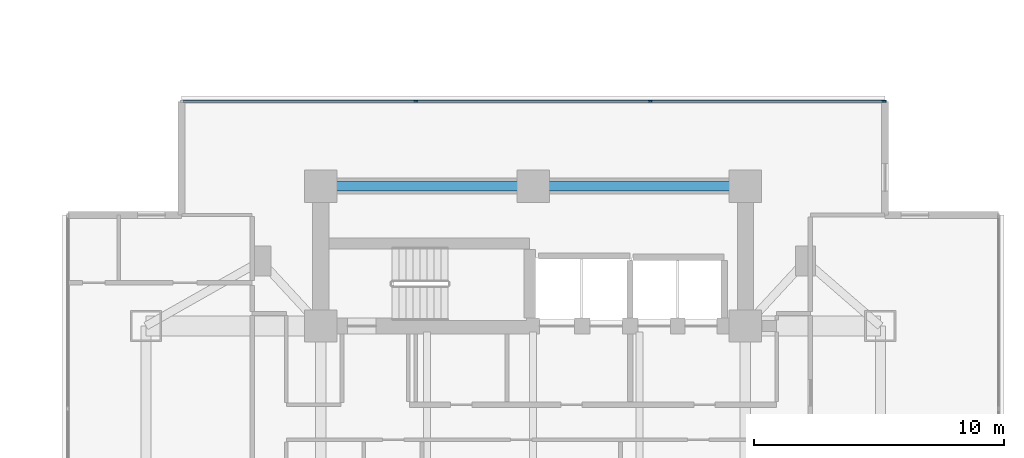
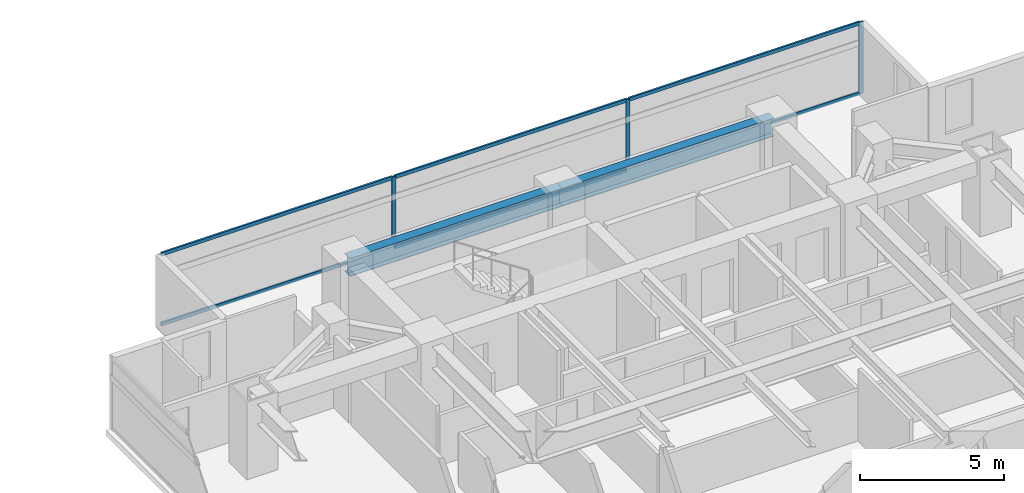
# One storey, part 11 of 24: 9 members, 2 beams, 1 element without a shape of its own.
"""IFC4 building model written with IfcOpenShell, lengths in metres."""

from ifc_helpers import new_model, si_unit, direction, frame, origin, origin_2d, place, context, subcontext, project, spatial, rectangle, i_section, extrude, material, material_profile, profile_set, type_object, element, aggregate, save


model = new_model("IFC4")

# Units and contexts
model_context = context("Model", 3, precision=1e-05, world=origin(), true_north=direction((0.0, 1.0)))
body_context = subcontext(model_context, "Body", "Model", "MODEL_VIEW")
ifc_project = project(units=[si_unit("LENGTHUNIT", "METRE"), si_unit("AREAUNIT", "SQUARE_METRE"), si_unit("VOLUMEUNIT", "CUBIC_METRE"), si_unit("PLANEANGLEUNIT", "RADIAN"), si_unit("MASSUNIT", "GRAM", prefix="KILO")], contexts=[model_context])

# Site, building, storey
site_placement = place(None, origin())
site = spatial("IfcSite", under=ifc_project, at=site_placement, CompositionType="ELEMENT")
building_placement = place(site_placement, origin())
building = spatial("IfcBuilding", under=site, at=building_placement, Name="Mirazonda Arch Towers", CompositionType="ELEMENT")
storey_placement = place(building_placement, frame((0.0, 0.0, 68.60009765625)))
storey = spatial("IfcBuildingStorey", under=building, at=storey_placement, Name="L19", CompositionType="ELEMENT", Elevation=68.60009765625)

# Beams
ifc_material_1 = material(Name="Steel ASTM A992 Grade 50", Category="steel")
ifc_material_profile_1 = material_profile(ifc_material_1, i_section(OverallWidth=0.381103515625, OverallDepth=0.77294921875, WebThickness=0.0166015625, FlangeThickness=0.027099609375, at=origin_2d()), Name="W30X173")
ifc_profile_set_1 = profile_set([ifc_material_profile_1], Name="Steel ASTM A992 Grade 50")
beam_type = type_object("IfcBeamType", Name="BM-INT-W30X173", PredefinedType="USERDEFINED", material=ifc_profile_set_1)
for number, where, z_axis, x_axis, name in (
    (1, (68.0, 40.800048828125, 2.67333984375), (1.0, 0.0, 0.0), (0.0, 1.0, 0.0), "L19 Floor Beam BM-T2-L19-CN1"),
    (2, (76.5, 40.800048828125, 2.67333984375), (1.0, 0.0, 0.0), (0.0, 1.0, 0.0), "L19 Floor Beam BM-T2-L19-CN2"),
):
    element("IfcBeam", number, at=place(storey_placement, frame(where, z_axis=z_axis, x_axis=x_axis)), inside=storey, type_object=beam_type, Name=name, ObjectType="GIRDER", PredefinedType="USERDEFINED", context=body_context, shape_type="SweptSolid", body=[
        extrude(i_section(OverallWidth=0.381103515625, OverallDepth=0.77294921875, WebThickness=0.0166015625, FlangeThickness=0.027099609375, at=origin_2d()), origin(), (0.0, 0.0, 1.0), 8.5),
    ])

# Curtain wall, members
ifc_material_2 = material(Name="Anodised Aluminium and Low-E Glass", Category="aluminium")
curtain_wall_type = type_object("IfcCurtainWallType", Name="CW-HTL-UNIT", PredefinedType="NOTDEFINED", material=ifc_material_2)
curtain_wall_placement = place(storey_placement, origin())
curtain_wall = element("IfcCurtainWall", 3, at=curtain_wall_placement, inside=storey, type_object=curtain_wall_type, Name="L19 T2 N Facade CW-L19-T2-N", PredefinedType="NOTDEFINED")
ifc_material_3 = material(Name="Anodised Aluminium Alloy", Category="aluminium")
ifc_material_profile_2 = material_profile(ifc_material_3, rectangle(XDim=0.074951171875, YDim=0.1650390625, at=origin_2d()), Name="ALU-MULL-75x165")
ifc_profile_set_2 = profile_set([ifc_material_profile_2], Name="Anodised Aluminium Alloy")
member_type_1 = type_object("IfcMemberType", Name="MULL-CW-HTL-UNIT", PredefinedType="MULLION", material=ifc_profile_set_2)
member_1_placement = place(storey_placement, frame((71.805419921875, 44.1923828125, 0.0), z_axis=(0.0, 0.0, 1.0), x_axis=(0.0, 1.0, 0.0)))
member_1 = element("IfcMember", 4, at=member_1_placement, type_object=member_type_1, Name="CW-112 mullion 2", PredefinedType="MULLION", context=body_context, shape_type="SweptSolid", body=[
    extrude(rectangle(XDim=0.074951171875, YDim=0.1650390625, at=origin_2d()), origin(), (0.0, 0.0, 1.0), 3.039794921875),
])
member_2_placement = place(storey_placement, frame((81.194580078125, 44.1923828125, 0.0), z_axis=(0.0, 0.0, 1.0), x_axis=(0.0, 1.0, 0.0)))
member_2 = element("IfcMember", 5, at=member_2_placement, type_object=member_type_1, Name="CW-112 mullion 3", PredefinedType="MULLION", context=body_context, shape_type="SweptSolid", body=[
    extrude(rectangle(XDim=0.074951171875, YDim=0.1650390625, at=origin_2d()), origin(), (0.0, 0.0, 1.0), 3.039794921875),
])
member_3_placement = place(storey_placement, frame((90.54638671875, 44.1923828125, 0.0), z_axis=(0.0, 0.0, 1.0), x_axis=(0.0, 1.0, 0.0)))
member_3 = element("IfcMember", 6, at=member_3_placement, type_object=member_type_1, Name="CW-112 mullion 4", PredefinedType="MULLION", context=body_context, shape_type="SweptSolid", body=[
    extrude(rectangle(XDim=0.074951171875, YDim=0.1650390625, at=origin_2d()), origin(), (0.0, 0.0, 1.0), 3.039794921875),
])
ifc_material_profile_3 = material_profile(ifc_material_3, rectangle(XDim=0.074951171875, YDim=0.14501953125, at=origin_2d()), Name="ALU-TRAN-75x145")
ifc_profile_set_3 = profile_set([ifc_material_profile_3], Name="Anodised Aluminium Alloy")
member_type_2 = type_object("IfcMemberType", Name="TRAN-CW-HTL-UNIT", PredefinedType="USERDEFINED", material=ifc_profile_set_3)
member_4_placement = place(storey_placement, frame((62.490966796875, 44.1923828125, 0.037353515625), z_axis=(1.0, 0.0, 0.0), x_axis=(0.0, 1.0, 0.0)))
member_4 = element("IfcMember", 7, at=member_4_placement, type_object=member_type_2, Name="CW-112 transom 1.1", ObjectType="TRANSOM", PredefinedType="USERDEFINED", context=body_context, shape_type="SweptSolid", body=[
    extrude(rectangle(XDim=0.074951171875, YDim=0.14501953125, at=origin_2d()), origin(), (0.0, 0.0, 1.0), 9.27685546875),
])
member_5_placement = place(storey_placement, frame((62.490966796875, 44.1923828125, 3.00244140625), z_axis=(1.0, 0.0, 0.0), x_axis=(0.0, 1.0, 0.0)))
member_5 = element("IfcMember", 8, at=member_5_placement, type_object=member_type_2, Name="CW-112 transom 1.2", ObjectType="TRANSOM", PredefinedType="USERDEFINED", context=body_context, shape_type="SweptSolid", body=[
    extrude(rectangle(XDim=0.074951171875, YDim=0.14501953125, at=origin_2d()), origin(), (0.0, 0.0, 1.0), 9.27685546875),
])
member_6_placement = place(storey_placement, frame((71.8427734375, 44.1923828125, 0.037353515625), z_axis=(1.0, 0.0, 0.0), x_axis=(0.0, 1.0, 0.0)))
member_6 = element("IfcMember", 9, at=member_6_placement, type_object=member_type_2, Name="CW-112 transom 2.1", ObjectType="TRANSOM", PredefinedType="USERDEFINED", context=body_context, shape_type="SweptSolid", body=[
    extrude(rectangle(XDim=0.074951171875, YDim=0.14501953125, at=origin_2d()), origin(), (0.0, 0.0, 1.0), 9.314453125),
])
member_7_placement = place(storey_placement, frame((71.8427734375, 44.1923828125, 3.00244140625), z_axis=(1.0, 0.0, 0.0), x_axis=(0.0, 1.0, 0.0)))
member_7 = element("IfcMember", 10, at=member_7_placement, type_object=member_type_2, Name="CW-112 transom 2.2", ObjectType="TRANSOM", PredefinedType="USERDEFINED", context=body_context, shape_type="SweptSolid", body=[
    extrude(rectangle(XDim=0.074951171875, YDim=0.14501953125, at=origin_2d()), origin(), (0.0, 0.0, 1.0), 9.314453125),
])
member_8_placement = place(storey_placement, frame((81.232177734375, 44.1923828125, 0.037353515625), z_axis=(1.0, 0.0, 0.0), x_axis=(0.0, 1.0, 0.0)))
member_8 = element("IfcMember", 11, at=member_8_placement, type_object=member_type_2, Name="CW-112 transom 3.1", ObjectType="TRANSOM", PredefinedType="USERDEFINED", context=body_context, shape_type="SweptSolid", body=[
    extrude(rectangle(XDim=0.074951171875, YDim=0.14501953125, at=origin_2d()), origin(), (0.0, 0.0, 1.0), 9.27685546875),
])
member_9_placement = place(storey_placement, frame((81.232177734375, 44.1923828125, 3.00244140625), z_axis=(1.0, 0.0, 0.0), x_axis=(0.0, 1.0, 0.0)))
member_9 = element("IfcMember", 12, at=member_9_placement, type_object=member_type_2, Name="CW-112 transom 3.2", ObjectType="TRANSOM", PredefinedType="USERDEFINED", context=body_context, shape_type="SweptSolid", body=[
    extrude(rectangle(XDim=0.074951171875, YDim=0.14501953125, at=origin_2d()), origin(), (0.0, 0.0, 1.0), 9.27685546875),
])
aggregate(curtain_wall, [member_1, member_2, member_3, member_4, member_5, member_6, member_7, member_8, member_9])

save(model, "model.ifc")
